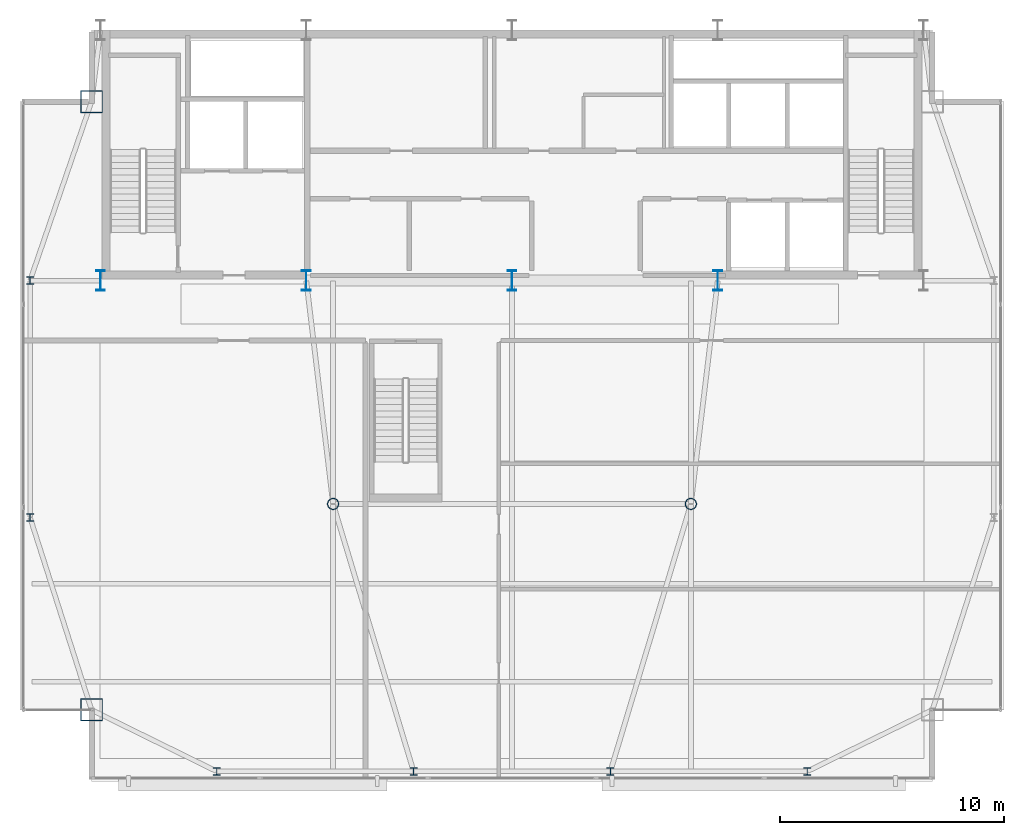
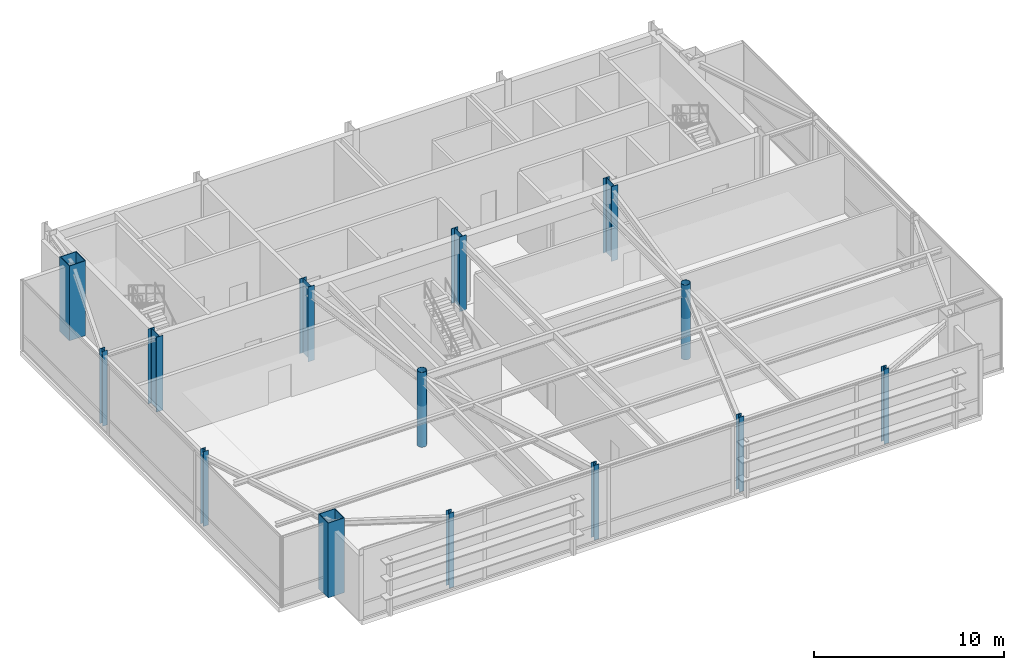
# One storey, part 1 of 21: 14 columns.
"""IFC4 building model written with IfcOpenShell, lengths in metres."""

from ifc_helpers import new_model, si_unit, direction, frame, origin, origin_2d, place, context, subcontext, project, spatial, hollow_rectangle, hollow_circle, i_section, extrude, source, transform, mapped, material, material_profile, profile_set, type_object, type_shapes, element, save


model = new_model("IFC4")

# Units and contexts
model_context = context("Model", 3, precision=1e-05, world=origin(), true_north=direction((0.0, 1.0)))
body_context = subcontext(model_context, "Body", "Model", "MODEL_VIEW")
ifc_project = project(units=[si_unit("LENGTHUNIT", "METRE"), si_unit("AREAUNIT", "SQUARE_METRE"), si_unit("VOLUMEUNIT", "CUBIC_METRE"), si_unit("PLANEANGLEUNIT", "RADIAN"), si_unit("MASSUNIT", "GRAM", prefix="KILO")], contexts=[model_context])

# Site, building, storey
site_placement = place(None, origin())
site = spatial("IfcSite", under=ifc_project, at=site_placement, CompositionType="ELEMENT")
building_placement = place(site_placement, origin())
building = spatial("IfcBuilding", under=site, at=building_placement, Name="Varnel Quay Broadcast Tower", CompositionType="ELEMENT")
storey_placement = place(building_placement, frame((0.0, 0.0, 300.199951171875)))
storey = spatial("IfcBuildingStorey", under=building, at=storey_placement, Name="L75", CompositionType="ELEMENT", Elevation=300.199951171875)

# Columns
ifc_material_1 = material(Name="Structural Steel CSA G40.21 350WT", Category="steel")
ifc_material_profile_1 = material_profile(ifc_material_1, i_section(OverallWidth=0.39990234375, OverallDepth=0.89990234375, WebThickness=0.01611328125, FlangeThickness=0.028076171875, FilletRadius=0.01611328125, at=origin_2d()), Name="WWF900X309")
ifc_profile_set_1 = profile_set([ifc_material_profile_1], Name="Structural Steel CSA G40.21 350WT")
column_type_1 = type_object("IfcColumnType", Name="Col_WWF900X309", PredefinedType="COLUMN", material=ifc_profile_set_1)
shared_shape_1 = source(origin(), body_context, "Body", "SweptSolid", [
    extrude(i_section(OverallWidth=0.39990234375, OverallDepth=0.89990234375, WebThickness=0.01611328125, FlangeThickness=0.028076171875, FilletRadius=0.01611328125, at=origin_2d()), origin(), (0.0, 0.0, 1.0), 4.800048828125),
])
type_shapes(column_type_1, [shared_shape_1])
for number, where, z_axis, x_axis, name in (
    (1, (15.60009765625, 35.60009765625, 0.0), (0.0, 0.0, 1.0), (1.0, 0.0, 0.0), "L75 Column CC-S1"),
    (2, (24.800048828125, 35.60009765625, 0.0), (0.0, 0.0, 1.0), (1.0, 0.0, 0.0), "L75 Column CC-S2"),
    (3, (34.0, 35.60009765625, 0.0), (0.0, 0.0, 1.0), (1.0, 0.0, 0.0), "L75 Column CC-S3"),
    (4, (43.199951171875, 35.60009765625, 0.0), (0.0, 0.0, 1.0), (1.0, 0.0, 0.0), "L75 Column CC-S4"),
):
    element("IfcColumn", number, at=place(storey_placement, frame(where, z_axis=z_axis, x_axis=x_axis)), inside=storey, type_object=column_type_1, Name=name, PredefinedType="COLUMN", context=body_context, shape_type="MappedRepresentation", body=[
        mapped(shared_shape_1, transform((0.0, 0.0, 0.0), x_axis=(1.0, 0.0, 0.0), y_axis=(0.0, 1.0, 0.0), z_axis=(0.0, 0.0, 1.0), scale=1.0)),
    ])
ifc_material_profile_2 = material_profile(ifc_material_1, hollow_rectangle(XDim=1.0, YDim=1.0, WallThickness=0.0400390625, at=origin_2d()), Name="BOX1000X1000X40")
ifc_profile_set_2 = profile_set([ifc_material_profile_2], Name="Structural Steel CSA G40.21 350WT")
column_type_2 = type_object("IfcColumnType", Name="Col_BOX1000X1000X40", PredefinedType="COLUMN", material=ifc_profile_set_2)
shared_shape_2 = source(origin(), body_context, "Body", "SweptSolid", [
    extrude(hollow_rectangle(XDim=1.0, YDim=1.0, WallThickness=0.0400390625, at=origin_2d()), origin(), (0.0, 0.0, 1.0), 4.800048828125),
])
type_shapes(column_type_2, [shared_shape_2])
for number, where, z_axis, x_axis, name in (
    (5, (15.199951171875, 16.39990234375, 0.0), (0.0, 0.0, 1.0), (1.0, 0.0, 0.0), "L75 Column MC-SW"),
    (6, (15.199951171875, 43.60009765625, 0.0), (0.0, 0.0, 1.0), (1.0, 0.0, 0.0), "L75 Column MC-NW"),
):
    element("IfcColumn", number, at=place(storey_placement, frame(where, z_axis=z_axis, x_axis=x_axis)), inside=storey, type_object=column_type_2, Name=name, PredefinedType="COLUMN", context=body_context, shape_type="MappedRepresentation", body=[
        mapped(shared_shape_2, transform((0.0, 0.0, 0.0), x_axis=(1.0, 0.0, 0.0), y_axis=(0.0, 1.0, 0.0), z_axis=(0.0, 0.0, 1.0), scale=1.0)),
    ])
ifc_material_2 = material(Name="Structural Steel CSA G40.21 350W", Category="steel")
ifc_material_profile_3 = material_profile(ifc_material_2, i_section(OverallWidth=0.30908203125, OverallDepth=0.322998046875, WebThickness=0.013916015625, FlangeThickness=0.02294921875, FilletRadius=0.014892578125, at=origin_2d()), Name="W310X143")
ifc_profile_set_3 = profile_set([ifc_material_profile_3], Name="Structural Steel CSA G40.21 350W")
column_type_3 = type_object("IfcColumnType", Name="Col_W310X143", PredefinedType="COLUMN", material=ifc_profile_set_3)
shared_shape_3 = source(origin(), body_context, "Body", "SweptSolid", [
    extrude(i_section(OverallWidth=0.30908203125, OverallDepth=0.322998046875, WebThickness=0.013916015625, FlangeThickness=0.02294921875, FilletRadius=0.014892578125, at=origin_2d()), origin(), (0.0, 0.0, 1.0), 4.800048828125),
])
type_shapes(column_type_3, [shared_shape_3])
for number, where, z_axis, x_axis, name in (
    (7, (20.800048828125, 13.64990234375, 0.0), (0.0, 0.0, 1.0), (1.0, 0.0, 0.0), "L75 Column TC-S1"),
    (8, (29.60009765625, 13.64990234375, 0.0), (0.0, 0.0, 1.0), (1.0, 0.0, 0.0), "L75 Column TC-S2"),
    (9, (38.39990234375, 13.64990234375, 0.0), (0.0, 0.0, 1.0), (1.0, 0.0, 0.0), "L75 Column TC-S3"),
    (10, (47.199951171875, 13.64990234375, 0.0), (0.0, 0.0, 1.0), (1.0, 0.0, 0.0), "L75 Column TC-S4"),
    (11, (12.449951171875, 25.0, 0.0), (0.0, 0.0, 1.0), (1.0, 0.0, 0.0), "L75 Column TC-W1"),
    (12, (12.449951171875, 35.60009765625, 0.0), (0.0, 0.0, 1.0), (1.0, 0.0, 0.0), "L75 Column TC-W2"),
):
    element("IfcColumn", number, at=place(storey_placement, frame(where, z_axis=z_axis, x_axis=x_axis)), inside=storey, type_object=column_type_3, Name=name, PredefinedType="COLUMN", context=body_context, shape_type="MappedRepresentation", body=[
        mapped(shared_shape_3, transform((0.0, 0.0, 0.0), x_axis=(1.0, 0.0, 0.0), y_axis=(0.0, 1.0, 0.0), z_axis=(0.0, 0.0, 1.0), scale=1.0)),
    ])
ifc_material_profile_4 = material_profile(ifc_material_2, hollow_circle(Radius=0.25390625, WallThickness=0.02001953125, at=origin_2d()), Name="CHS508X20")
ifc_profile_set_4 = profile_set([ifc_material_profile_4], Name="Structural Steel CSA G40.21 350W")
column_type_4 = type_object("IfcColumnType", Name="Col_CHS508X20", PredefinedType="COLUMN", material=ifc_profile_set_4)
shared_shape_4 = source(origin(), body_context, "Body", "SweptSolid", [
    extrude(hollow_circle(Radius=0.25390625, WallThickness=0.02001953125, at=origin_2d()), origin(), (0.0, 0.0, 1.0), 4.800048828125),
])
type_shapes(column_type_4, [shared_shape_4])
for number, where, z_axis, x_axis, name in (
    (13, (26.0, 25.610107421875, 0.0), (0.0, 0.0, 1.0), (1.0, 0.0, 0.0), "L75 Column IC-01"),
    (14, (42.0, 25.610107421875, 0.0), (0.0, 0.0, 1.0), (1.0, 0.0, 0.0), "L75 Column IC-02"),
):
    element("IfcColumn", number, at=place(storey_placement, frame(where, z_axis=z_axis, x_axis=x_axis)), inside=storey, type_object=column_type_4, Name=name, PredefinedType="COLUMN", context=body_context, shape_type="MappedRepresentation", body=[
        mapped(shared_shape_4, transform((0.0, 0.0, 0.0), x_axis=(1.0, 0.0, 0.0), y_axis=(0.0, 1.0, 0.0), z_axis=(0.0, 0.0, 1.0), scale=1.0)),
    ])

save(model, "model.ifc")
